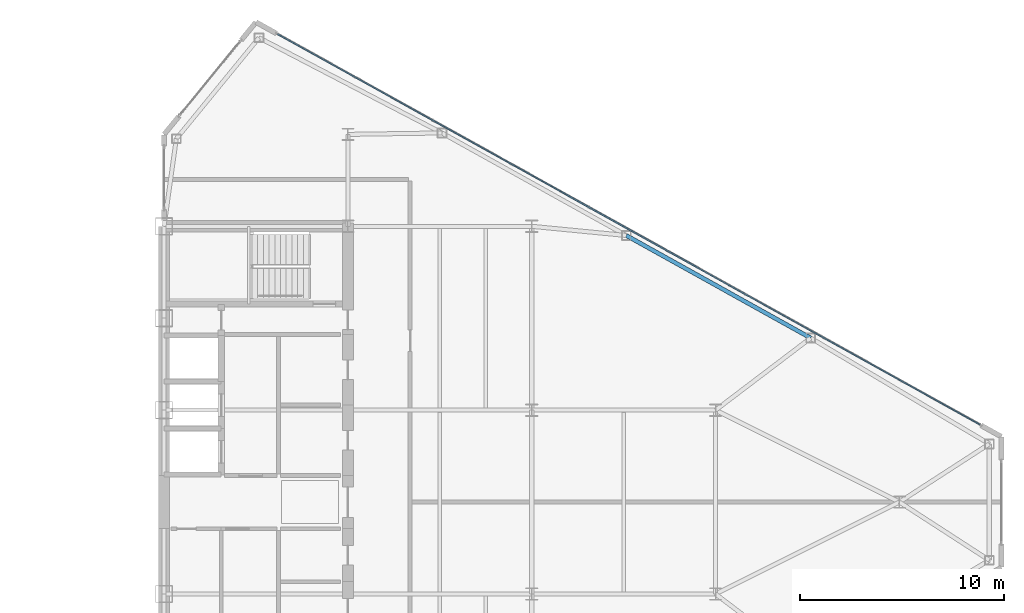
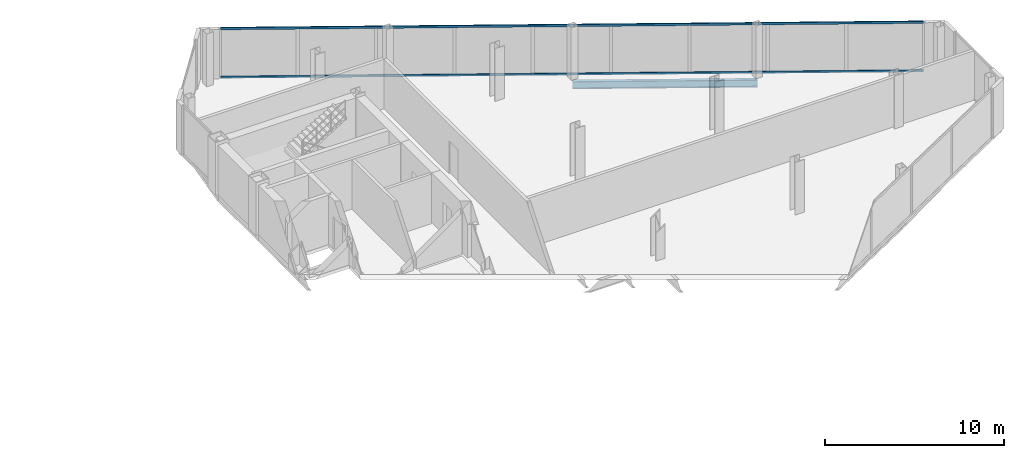
# One storey, part 16 of 26: 2 members, 1 beam, 1 element without a shape of its own.
"""IFC4 building model written with IfcOpenShell, lengths in metres."""

from ifc_helpers import new_model, si_unit, direction, frame, origin, origin_2d, place, context, subcontext, project, spatial, rectangle, i_section, extrude, source, transform, mapped, material, layer, layer_set, material_profile, profile_set, type_object, type_shapes, element, aggregate, save


model = new_model("IFC4")

# Units and contexts
model_context = context("Model", 3, precision=1e-05, world=origin(), true_north=direction((0.0, 1.0)))
body_context = subcontext(model_context, "Body", "Model", "MODEL_VIEW")
ifc_project = project(units=[si_unit("LENGTHUNIT", "METRE"), si_unit("AREAUNIT", "SQUARE_METRE"), si_unit("VOLUMEUNIT", "CUBIC_METRE"), si_unit("PLANEANGLEUNIT", "RADIAN"), si_unit("MASSUNIT", "GRAM", prefix="KILO")], contexts=[model_context])

# Site, building, storey
site_placement = place(None, origin())
site = spatial("IfcSite", under=ifc_project, at=site_placement, CompositionType="ELEMENT")
building_placement = place(site_placement, origin())
building = spatial("IfcBuilding", under=site, at=building_placement, Name="Seokmaru Belvedere", CompositionType="ELEMENT")
storey_placement = place(building_placement, frame((0.0, 0.0, 181.5)))
storey = spatial("IfcBuildingStorey", under=building, at=storey_placement, Name="L48", CompositionType="ELEMENT", Elevation=181.5)

# Beam
ifc_material_1 = material(Name="Steel SM355 (355 MPa)", Category="steel")
ifc_material_profile_1 = material_profile(ifc_material_1, i_section(OverallWidth=0.199951171875, OverallDepth=0.5, WebThickness=0.010009765625, FlangeThickness=0.01611328125, at=origin_2d()), Name="H-500x200x10x16")
ifc_profile_set_1 = profile_set([ifc_material_profile_1], Name="Steel SM355 (355 MPa)")
beam_type = type_object("IfcBeamType", Name="Perimeter Spandrel Beam H-500", PredefinedType="SPANDREL", material=ifc_profile_set_1)
shared_shape_1 = source(origin(), body_context, "Body", "SweptSolid", [
    extrude(i_section(OverallWidth=0.199951171875, OverallDepth=0.5, WebThickness=0.010009765625, FlangeThickness=0.01611328125, at=origin_2d()), origin(), (0.0, 0.0, 1.0), 10.327392578125),
])
type_shapes(beam_type, [shared_shape_1])
beam_placement = place(storey_placement, frame((50.129150390625, 13.051025390625, -0.469970703125), z_axis=(0.873934162361, -0.48604431882, 0.0), x_axis=(0.48604431882, 0.873934162361, 0.0)))
element("IfcBeam", 1, at=beam_placement, inside=storey, type_object=beam_type, Name="L48 E Faceted Flank Spandrel N-3", PredefinedType="SPANDREL", context=body_context, shape_type="MappedRepresentation", body=[
    mapped(shared_shape_1, transform((0.0, 0.0, 0.0), scale=1.0)),
])

# Curtain wall, members
ifc_material_2 = material(Name="Bronze Triple Insulating Glass", Category="glass")
ifc_layer = layer(ifc_material_2, 0.179931640625)
ifc_layer_set = layer_set([ifc_layer], Name="Bronze Triple Insulating Glass")
curtain_wall_type = type_object("IfcCurtainWallType", Name="High-Rise Wind-Corner Curtain Wall System CW-5", PredefinedType="NOTDEFINED", material=ifc_layer_set)
curtain_wall_placement = place(storey_placement, origin())
curtain_wall = element("IfcCurtainWall", 2, at=curtain_wall_placement, inside=storey, type_object=curtain_wall_type, Name="L48 Curtain Wall EF3", PredefinedType="NOTDEFINED")
ifc_material_3 = material(Name="Anodised Bronze Aluminium", Category="aluminium")
ifc_material_profile_2 = material_profile(ifc_material_3, rectangle(XDim=0.06494140625, YDim=0.14990234375, at=origin_2d()), Name="CW-T-65x150")
ifc_profile_set_2 = profile_set([ifc_material_profile_2], Name="Anodised Bronze Aluminium")
member_type = type_object("IfcMemberType", Name="Bronze Unitised Transom 65x150", PredefinedType="USERDEFINED", material=ifc_profile_set_2)
shared_shape_2 = source(origin(), body_context, "Body", "SweptSolid", [
    extrude(rectangle(XDim=0.06494140625, YDim=0.14990234375, at=origin_2d()), origin(), (0.0, 0.0, 1.0), 39.33544921875),
])
type_shapes(member_type, [shared_shape_2])
member_1_placement = place(storey_placement, frame((67.438232421875, 3.79052734375, 0.032470703125), z_axis=(-0.873932045133, 0.486048125693, 0.0), x_axis=(-0.486048125693, -0.873932045133, 0.0)))
member_1 = element("IfcMember", 3, at=member_1_placement, type_object=member_type, Name="CW:L48:EF3 Continuous Transom 1", ObjectType="TRANSOM", PredefinedType="USERDEFINED", context=body_context, shape_type="MappedRepresentation", body=[
    mapped(shared_shape_2, transform((0.0, 0.0, 0.0), scale=1.0)),
])
member_2_placement = place(storey_placement, frame((67.438232421875, 3.79052734375, 3.347412109375), z_axis=(-0.873932045133, 0.486048125693, 0.0), x_axis=(-0.486048125693, -0.873932045133, 0.0)))
member_2 = element("IfcMember", 4, at=member_2_placement, type_object=member_type, Name="CW:L48:EF3 Continuous Transom 2", ObjectType="TRANSOM", PredefinedType="USERDEFINED", context=body_context, shape_type="MappedRepresentation", body=[
    mapped(shared_shape_2, transform((0.0, 0.0, 0.0), scale=1.0)),
])
aggregate(curtain_wall, [member_1, member_2])

save(model, "model.ifc")
